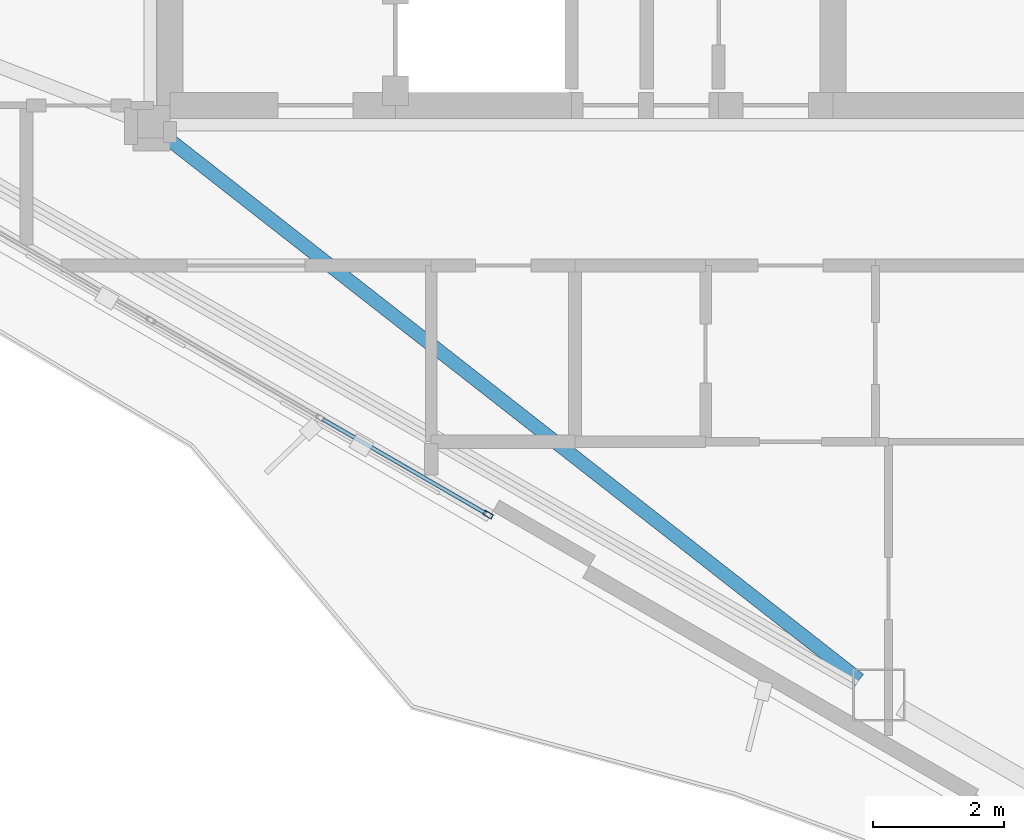
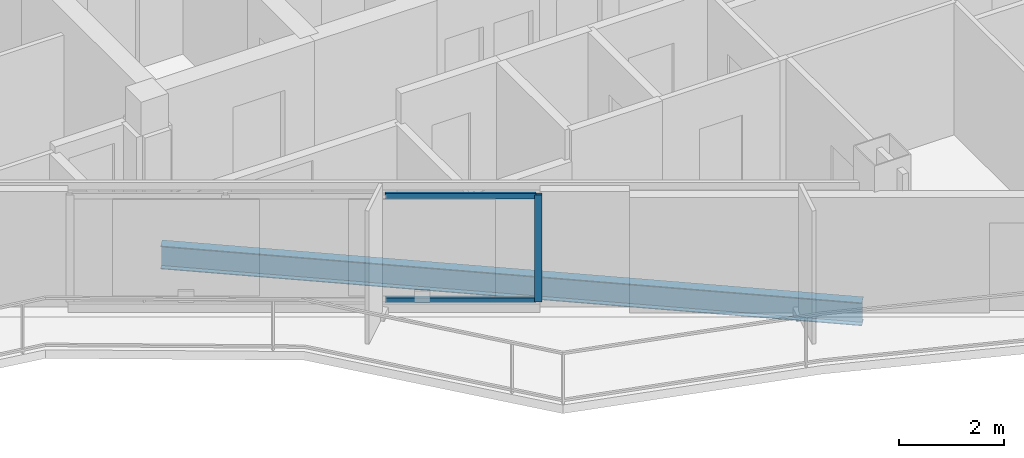
# One storey, part 4 of 22: 3 members, 1 beam, 1 element without a shape of its own.
"""IFC4 building model written with IfcOpenShell, lengths in metres."""

from ifc_helpers import new_model, si_unit, direction, frame, origin, origin_2d, place, context, subcontext, project, spatial, hollow_rectangle, i_section, extrude, material, layer, layer_set, material_profile, profile_set, type_object, element, aggregate, save


model = new_model("IFC4")

# Units and contexts
model_context = context("Model", 3, precision=1e-05, world=origin(), true_north=direction((0.0, 1.0)))
body_context = subcontext(model_context, "Body", "Model", "MODEL_VIEW")
ifc_project = project(units=[si_unit("LENGTHUNIT", "METRE"), si_unit("AREAUNIT", "SQUARE_METRE"), si_unit("VOLUMEUNIT", "CUBIC_METRE"), si_unit("PLANEANGLEUNIT", "RADIAN"), si_unit("MASSUNIT", "GRAM", prefix="KILO")], contexts=[model_context])

# Site, building, storey
site_placement = place(None, origin())
site = spatial("IfcSite", under=ifc_project, at=site_placement, CompositionType="ELEMENT")
building_placement = place(site_placement, origin())
building = spatial("IfcBuilding", under=site, at=building_placement, Name="Mersakhor Tower and Convention Hall", CompositionType="ELEMENT")
storey_placement = place(building_placement, frame((0.0, 0.0, 201.89990234375)))
storey = spatial("IfcBuildingStorey", under=building, at=storey_placement, Name="L56", CompositionType="ELEMENT", Elevation=201.89990234375)

# Beam
ifc_material_1 = material(Name="Steel S355", Category="steel")
ifc_material_profile_1 = material_profile(ifc_material_1, i_section(OverallWidth=0.2099609375, OverallDepth=0.53662109375, WebThickness=0.0107421875, FlangeThickness=0.017333984375, at=origin_2d()), Name="UB 533x210x101")
ifc_profile_set_1 = profile_set([ifc_material_profile_1], Name="Steel S355")
beam_type = type_object("IfcBeamType", Name="BM-FB-533", PredefinedType="BEAM", material=ifc_profile_set_1)
beam_placement = place(storey_placement, frame((22.12060546875, 20.27734375, -0.498291015625), z_axis=(0.78749660582, -0.616318988692, 0.0), x_axis=(0.616318988692, 0.78749660582, 0.0)))
element("IfcBeam", 1, at=beam_placement, inside=storey, type_object=beam_type, Name="L56 Primary Floor Girder FG-5", PredefinedType="BEAM", context=body_context, shape_type="SweptSolid", body=[
    extrude(i_section(OverallWidth=0.2099609375, OverallDepth=0.53662109375, WebThickness=0.0107421875, FlangeThickness=0.017333984375, at=origin_2d()), origin(), (0.0, 0.0, 1.0), 13.500732421875),
])

# Curtain wall, members
ifc_material_2 = material(Name="Dark solar low-E aluminium curtain wall", Category="aluminium")
ifc_layer = layer(ifc_material_2, 0.169921875)
ifc_layer_set = layer_set([ifc_layer], Name="Dark solar low-E aluminium curtain wall")
curtain_wall_type = type_object("IfcCurtainWallType", Name="CW-SYS-02", PredefinedType="USERDEFINED", material=ifc_layer_set)
curtain_wall_placement = place(storey_placement, origin())
curtain_wall = element("IfcCurtainWall", 2, at=curtain_wall_placement, inside=storey, type_object=curtain_wall_type, Name="L56 Dark-Glass Curtain Wall F3-B2", ObjectType="CURTAIN WALL", PredefinedType="USERDEFINED")
ifc_material_3 = material(Name="Anodised aluminium EN AW-6063 T6", Category="aluminium")
ifc_material_profile_2 = material_profile(ifc_material_3, hollow_rectangle(XDim=0.074951171875, YDim=0.14990234375, WallThickness=0.00634765625, at=origin_2d()), Name="RHS 150x75x6.3")
ifc_profile_set_2 = profile_set([ifc_material_profile_2], Name="Anodised aluminium EN AW-6063 T6")
member_type_1 = type_object("IfcMemberType", Name="CWM-150x75", PredefinedType="MULLION", material=ifc_profile_set_2)
member_1_placement = place(storey_placement, frame((27.06982421875, 14.483154296875, 0.2001953125), z_axis=(0.0, 0.0, 1.0), x_axis=(-0.500007824483, -0.86602088627, 0.0)))
member_1 = element("IfcMember", 3, at=member_1_placement, type_object=member_type_1, Name="CW-02 mullion 1", PredefinedType="MULLION", context=body_context, shape_type="SweptSolid", body=[
    extrude(hollow_rectangle(XDim=0.074951171875, YDim=0.14990234375, WallThickness=0.00634765625, at=origin_2d()), origin(), (0.0, 0.0, 1.0), 2.489990234375),
])
ifc_material_4 = material(Name="Anodised aluminium EN AW-6063 T6", Category="aluminium")
ifc_material_profile_3 = material_profile(ifc_material_4, hollow_rectangle(XDim=0.06005859375, YDim=0.1201171875, WallThickness=0.0048828125, at=origin_2d()), Name="RHS 120x60x5")
ifc_profile_set_3 = profile_set([ifc_material_profile_3], Name="Anodised aluminium EN AW-6063 T6")
member_type_2 = type_object("IfcMemberType", Name="CWT-120x60", PredefinedType="USERDEFINED", material=ifc_profile_set_3)
member_2_placement = place(storey_placement, frame((27.037353515625, 14.501953125, 0.22998046875), z_axis=(-0.86601237176, 0.50002257145, 0.0), x_axis=(-0.50002257145, -0.86601237176, 0.0)))
member_2 = element("IfcMember", 4, at=member_2_placement, type_object=member_type_2, Name="CW-02 transom 1.1", ObjectType="TRANSOM", PredefinedType="USERDEFINED", context=body_context, shape_type="SweptSolid", body=[
    extrude(hollow_rectangle(XDim=0.06005859375, YDim=0.1201171875, WallThickness=0.0048828125, at=origin_2d()), origin(), (0.0, 0.0, 1.0), 2.886962890625),
])
member_3_placement = place(storey_placement, frame((27.037353515625, 14.501953125, 2.66015625), z_axis=(-0.86601237176, 0.50002257145, 0.0), x_axis=(-0.50002257145, -0.86601237176, 0.0)))
member_3 = element("IfcMember", 5, at=member_3_placement, type_object=member_type_2, Name="CW-02 transom 1.2", ObjectType="TRANSOM", PredefinedType="USERDEFINED", context=body_context, shape_type="SweptSolid", body=[
    extrude(hollow_rectangle(XDim=0.06005859375, YDim=0.1201171875, WallThickness=0.0048828125, at=origin_2d()), origin(), (0.0, 0.0, 1.0), 2.886962890625),
])
aggregate(curtain_wall, [member_1, member_2, member_3])

save(model, "model.ifc")
